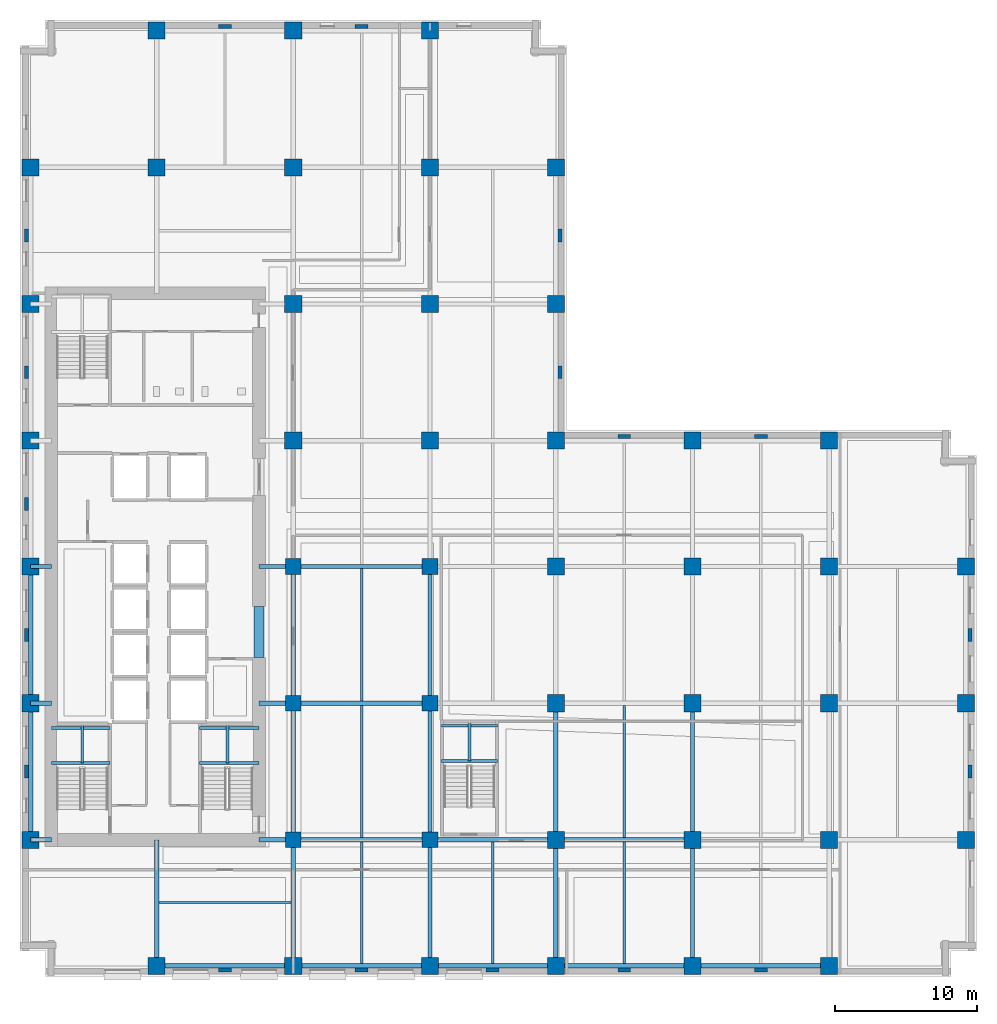
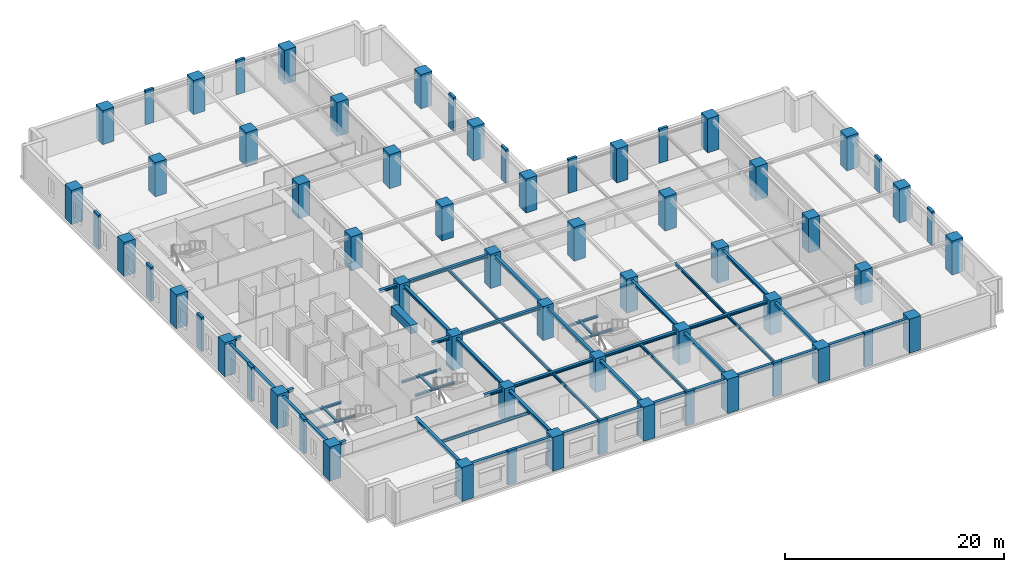
# One storey, part 1 of 14: 63 columns, 46 beams.
"""IFC4 building model written with IfcOpenShell, lengths in metres."""

from ifc_helpers import new_model, si_unit, direction, frame, origin, origin_2d, place, context, subcontext, project, spatial, rectangle, i_section, extrude, material, material_profile, profile_set, type_object, element, save


model = new_model("IFC4")

# Units and contexts
model_context = context("Model", 3, precision=1e-05, world=origin(), true_north=direction((0.0, 1.0)))
body_context = subcontext(model_context, "Body", "Model", "MODEL_VIEW")
ifc_project = project(units=[si_unit("LENGTHUNIT", "METRE"), si_unit("AREAUNIT", "SQUARE_METRE"), si_unit("VOLUMEUNIT", "CUBIC_METRE"), si_unit("PLANEANGLEUNIT", "RADIAN"), si_unit("MASSUNIT", "GRAM", prefix="KILO")], contexts=[model_context])

# Site, building, storey
site_placement = place(None, origin())
site = spatial("IfcSite", under=ifc_project, at=site_placement, CompositionType="ELEMENT")
building_placement = place(site_placement, origin())
building = spatial("IfcBuilding", under=site, at=building_placement, Name="Norrvale University Quadrangle", CompositionType="ELEMENT")
storey_placement = place(building_placement, frame((0.0, 0.0, 50.800048828125)))
storey = spatial("IfcBuildingStorey", under=building, at=storey_placement, Name="L12", CompositionType="ELEMENT", Elevation=50.800048828125)

# Columns
ifc_material_1 = material(Name="Buff Brick Concrete C60/75", Category="concrete")
ifc_material_profile_1 = material_profile(ifc_material_1, rectangle(XDim=0.89990234375, YDim=0.280029296875, at=origin_2d()), Name="Buff Brick Concrete C60/75")
ifc_profile_set_1 = profile_set([ifc_material_profile_1], Name="Buff Brick Concrete C60/75")
column_type_1 = type_object("IfcColumnType", Name="Column Buff Pier 900x280", PredefinedType="PILASTER", material=ifc_profile_set_1)
for number, where, z_axis, x_axis, name in (
    (1, (0.449951171875, 14.39990234375, 0.0), (0.0, 0.0, 1.0), (0.0, 1.0, 0.0), "Exterior Brick Facade Pilaster L12-01"),
    (2, (0.449951171875, 24.0, 0.0), (0.0, 0.0, 1.0), (0.0, 1.0, 0.0), "Exterior Brick Facade Pilaster L12-02"),
    (3, (0.449951171875, 33.199951171875, 0.0), (0.0, 0.0, 1.0), (0.0, 1.0, 0.0), "Exterior Brick Facade Pilaster L12-03"),
    (4, (0.449951171875, 42.449951171875, 0.0), (0.0, 0.0, 1.0), (0.0, 1.0, 0.0), "Exterior Brick Facade Pilaster L12-04"),
    (5, (0.449951171875, 52.050048828125, 0.0), (0.0, 0.0, 1.0), (0.0, 1.0, 0.0), "Exterior Brick Facade Pilaster L12-05"),
    (6, (14.39990234375, 0.449951171875, 0.0), (0.0, 0.0, 1.0), (1.0, 0.0, 0.0), "Exterior Brick Facade Pilaster L12-06"),
    (7, (24.0, 0.449951171875, 0.0), (0.0, 0.0, 1.0), (1.0, 0.0, 0.0), "Exterior Brick Facade Pilaster L12-07"),
    (8, (33.199951171875, 0.449951171875, 0.0), (0.0, 0.0, 1.0), (1.0, 0.0, 0.0), "Exterior Brick Facade Pilaster L12-08"),
    (9, (42.449951171875, 0.449951171875, 0.0), (0.0, 0.0, 1.0), (1.0, 0.0, 0.0), "Exterior Brick Facade Pilaster L12-09"),
    (10, (52.050048828125, 0.449951171875, 0.0), (0.0, 0.0, 1.0), (1.0, 0.0, 0.0), "Exterior Brick Facade Pilaster L12-10"),
    (11, (66.75, 14.39990234375, 0.0), (0.0, 0.0, 1.0), (0.0, 1.0, 0.0), "Exterior Brick Facade Pilaster L12-11"),
    (12, (66.75, 24.0, 0.0), (0.0, 0.0, 1.0), (0.0, 1.0, 0.0), "Exterior Brick Facade Pilaster L12-12"),
    (13, (14.39990234375, 66.75, 0.0), (0.0, 0.0, 1.0), (1.0, 0.0, 0.0), "Exterior Brick Facade Pilaster L12-13"),
    (14, (24.0, 66.75, 0.0), (0.0, 0.0, 1.0), (1.0, 0.0, 0.0), "Exterior Brick Facade Pilaster L12-14"),
    (15, (37.949951171875, 42.449951171875, 0.0), (0.0, 0.0, 1.0), (0.0, 1.0, 0.0), "Exterior Brick Facade Pilaster L12-15"),
    (16, (37.949951171875, 52.050048828125, 0.0), (0.0, 0.0, 1.0), (0.0, 1.0, 0.0), "Exterior Brick Facade Pilaster L12-16"),
    (17, (42.449951171875, 37.949951171875, 0.0), (0.0, 0.0, 1.0), (1.0, 0.0, 0.0), "Exterior Brick Facade Pilaster L12-17"),
    (18, (52.050048828125, 37.949951171875, 0.0), (0.0, 0.0, 1.0), (1.0, 0.0, 0.0), "Exterior Brick Facade Pilaster L12-18"),
):
    element("IfcColumn", number, at=place(storey_placement, frame(where, z_axis=z_axis, x_axis=x_axis)), inside=storey, type_object=column_type_1, Name=name, PredefinedType="PILASTER", context=body_context, shape_type="SweptSolid", body=[
        extrude(rectangle(XDim=0.89990234375, YDim=0.280029296875, at=origin_2d()), origin(), (0.0, 0.0, 1.0), 3.800048828125),
    ])
ifc_material_2 = material(Name="Concrete C80/95", Category="concrete")
ifc_material_profile_2 = material_profile(ifc_material_2, rectangle(XDim=1.10009765625, YDim=1.10009765625, at=origin_2d()), Name="Concrete C80/95")
ifc_profile_set_2 = profile_set([ifc_material_profile_2], Name="Concrete C80/95")
column_type_2 = type_object("IfcColumnType", Name="Column Tower Z1 1100x1100", PredefinedType="COLUMN", material=ifc_profile_set_2)
for number, where, z_axis, x_axis, name in (
    (19, (19.199951171875, 9.60009765625, 0.0), (0.0, 0.0, 1.0), (1.0, 0.0, 0.0), "Tower Column L12-T11"),
    (20, (19.199951171875, 19.199951171875, 0.0), (0.0, 0.0, 1.0), (1.0, 0.0, 0.0), "Tower Column L12-T12"),
    (21, (19.199951171875, 28.800048828125, 0.0), (0.0, 0.0, 1.0), (1.0, 0.0, 0.0), "Tower Column L12-T13"),
    (22, (28.800048828125, 9.60009765625, 0.0), (0.0, 0.0, 1.0), (1.0, 0.0, 0.0), "Tower Column L12-T19"),
    (23, (28.800048828125, 19.199951171875, 0.0), (0.0, 0.0, 1.0), (1.0, 0.0, 0.0), "Tower Column L12-T20"),
    (24, (28.800048828125, 28.800048828125, 0.0), (0.0, 0.0, 1.0), (1.0, 0.0, 0.0), "Tower Column L12-T21"),
):
    element("IfcColumn", number, at=place(storey_placement, frame(where, z_axis=z_axis, x_axis=x_axis)), inside=storey, type_object=column_type_2, Name=name, PredefinedType="COLUMN", context=body_context, shape_type="SweptSolid", body=[
        extrude(rectangle(XDim=1.10009765625, YDim=1.10009765625, at=origin_2d()), origin(), (0.0, 0.0, 1.0), 3.800048828125),
    ])
ifc_material_profile_3 = material_profile(ifc_material_2, rectangle(XDim=1.199951171875, YDim=1.199951171875, at=origin_2d()), Name="Concrete C80/95")
ifc_profile_set_3 = profile_set([ifc_material_profile_3], Name="Concrete C80/95")
column_type_3 = type_object("IfcColumnType", Name="Column Tower Z1 1200x1200", PredefinedType="COLUMN", material=ifc_profile_set_3)
for number, where, z_axis, x_axis, name in (
    (25, (0.75, 9.60009765625, 0.0), (0.0, 0.0, 1.0), (1.0, 0.0, 0.0), "Tower Column L12-T01"),
    (26, (0.75, 19.199951171875, 0.0), (0.0, 0.0, 1.0), (1.0, 0.0, 0.0), "Tower Column L12-T02"),
    (27, (0.75, 28.800048828125, 0.0), (0.0, 0.0, 1.0), (1.0, 0.0, 0.0), "Tower Column L12-T03"),
    (28, (0.75, 37.64990234375, 0.0), (0.0, 0.0, 1.0), (1.0, 0.0, 0.0), "Tower Column L12-T04"),
    (29, (0.75, 47.25, 0.0), (0.0, 0.0, 1.0), (1.0, 0.0, 0.0), "Tower Column L12-T05"),
    (30, (0.75, 56.85009765625, 0.0), (0.0, 0.0, 1.0), (1.0, 0.0, 0.0), "Tower Column L12-T06"),
    (31, (9.60009765625, 0.75, 0.0), (0.0, 0.0, 1.0), (1.0, 0.0, 0.0), "Tower Column L12-T07"),
    (32, (9.60009765625, 56.85009765625, 0.0), (0.0, 0.0, 1.0), (1.0, 0.0, 0.0), "Tower Column L12-T08"),
    (33, (9.60009765625, 66.449951171875, 0.0), (0.0, 0.0, 1.0), (1.0, 0.0, 0.0), "Tower Column L12-T09"),
    (34, (19.199951171875, 0.75, 0.0), (0.0, 0.0, 1.0), (1.0, 0.0, 0.0), "Tower Column L12-T10"),
    (35, (19.199951171875, 37.64990234375, 0.0), (0.0, 0.0, 1.0), (1.0, 0.0, 0.0), "Tower Column L12-T14"),
    (36, (19.199951171875, 47.25, 0.0), (0.0, 0.0, 1.0), (1.0, 0.0, 0.0), "Tower Column L12-T15"),
    (37, (19.199951171875, 56.85009765625, 0.0), (0.0, 0.0, 1.0), (1.0, 0.0, 0.0), "Tower Column L12-T16"),
    (38, (19.199951171875, 66.449951171875, 0.0), (0.0, 0.0, 1.0), (1.0, 0.0, 0.0), "Tower Column L12-T17"),
    (39, (28.800048828125, 0.75, 0.0), (0.0, 0.0, 1.0), (1.0, 0.0, 0.0), "Tower Column L12-T18"),
    (40, (28.800048828125, 37.64990234375, 0.0), (0.0, 0.0, 1.0), (1.0, 0.0, 0.0), "Tower Column L12-T22"),
    (41, (28.800048828125, 47.25, 0.0), (0.0, 0.0, 1.0), (1.0, 0.0, 0.0), "Tower Column L12-T23"),
    (42, (28.800048828125, 56.85009765625, 0.0), (0.0, 0.0, 1.0), (1.0, 0.0, 0.0), "Tower Column L12-T24"),
    (43, (28.800048828125, 66.449951171875, 0.0), (0.0, 0.0, 1.0), (1.0, 0.0, 0.0), "Tower Column L12-T25"),
    (44, (37.64990234375, 0.75, 0.0), (0.0, 0.0, 1.0), (1.0, 0.0, 0.0), "Tower Column L12-T26"),
    (45, (37.64990234375, 9.60009765625, 0.0), (0.0, 0.0, 1.0), (1.0, 0.0, 0.0), "Tower Column L12-T27"),
    (46, (37.64990234375, 19.199951171875, 0.0), (0.0, 0.0, 1.0), (1.0, 0.0, 0.0), "Tower Column L12-T28"),
    (47, (37.64990234375, 28.800048828125, 0.0), (0.0, 0.0, 1.0), (1.0, 0.0, 0.0), "Tower Column L12-T29"),
    (48, (37.64990234375, 37.64990234375, 0.0), (0.0, 0.0, 1.0), (1.0, 0.0, 0.0), "Tower Column L12-T30"),
    (49, (37.64990234375, 47.25, 0.0), (0.0, 0.0, 1.0), (1.0, 0.0, 0.0), "Tower Column L12-T31"),
    (50, (37.64990234375, 56.85009765625, 0.0), (0.0, 0.0, 1.0), (1.0, 0.0, 0.0), "Tower Column L12-T32"),
    (51, (47.25, 0.75, 0.0), (0.0, 0.0, 1.0), (1.0, 0.0, 0.0), "Tower Column L12-T33"),
    (52, (47.25, 9.60009765625, 0.0), (0.0, 0.0, 1.0), (1.0, 0.0, 0.0), "Tower Column L12-T34"),
    (53, (47.25, 19.199951171875, 0.0), (0.0, 0.0, 1.0), (1.0, 0.0, 0.0), "Tower Column L12-T35"),
    (54, (47.25, 28.800048828125, 0.0), (0.0, 0.0, 1.0), (1.0, 0.0, 0.0), "Tower Column L12-T36"),
    (55, (47.25, 37.64990234375, 0.0), (0.0, 0.0, 1.0), (1.0, 0.0, 0.0), "Tower Column L12-T37"),
    (56, (56.85009765625, 0.75, 0.0), (0.0, 0.0, 1.0), (1.0, 0.0, 0.0), "Tower Column L12-T38"),
    (57, (56.85009765625, 9.60009765625, 0.0), (0.0, 0.0, 1.0), (1.0, 0.0, 0.0), "Tower Column L12-T39"),
    (58, (56.85009765625, 19.199951171875, 0.0), (0.0, 0.0, 1.0), (1.0, 0.0, 0.0), "Tower Column L12-T40"),
    (59, (56.85009765625, 28.800048828125, 0.0), (0.0, 0.0, 1.0), (1.0, 0.0, 0.0), "Tower Column L12-T41"),
    (60, (56.85009765625, 37.64990234375, 0.0), (0.0, 0.0, 1.0), (1.0, 0.0, 0.0), "Tower Column L12-T42"),
    (61, (66.449951171875, 9.60009765625, 0.0), (0.0, 0.0, 1.0), (1.0, 0.0, 0.0), "Tower Column L12-T43"),
    (62, (66.449951171875, 19.199951171875, 0.0), (0.0, 0.0, 1.0), (1.0, 0.0, 0.0), "Tower Column L12-T44"),
    (63, (66.449951171875, 28.800048828125, 0.0), (0.0, 0.0, 1.0), (1.0, 0.0, 0.0), "Tower Column L12-T45"),
):
    element("IfcColumn", number, at=place(storey_placement, frame(where, z_axis=z_axis, x_axis=x_axis)), inside=storey, type_object=column_type_3, Name=name, PredefinedType="COLUMN", context=body_context, shape_type="SweptSolid", body=[
        extrude(rectangle(XDim=1.199951171875, YDim=1.199951171875, at=origin_2d()), origin(), (0.0, 0.0, 1.0), 3.800048828125),
    ])

# Beams
ifc_material_3 = material(Name="Steel 350W", Category="steel")
ifc_material_profile_4 = material_profile(ifc_material_3, i_section(OverallWidth=0.1669921875, OverallDepth=0.31689453125, WebThickness=0.007568359375, FlangeThickness=0.01318359375, FilletRadius=0.010009765625, at=origin_2d()), Name="Steel 350W")
ifc_profile_set_4 = profile_set([ifc_material_profile_4], Name="Steel 350W")
beam_type_1 = type_object("IfcBeamType", Name="Beam Canopy Purlin W310x52", PredefinedType="USERDEFINED", material=ifc_profile_set_4)
beam_1_placement = place(storey_placement, frame((24.0, 0.902587890625, 3.38134765625), z_axis=(0.0, 1.0, 0.0), x_axis=(-1.0, 0.0, 0.0)))
element("IfcBeam", 64, at=beam_1_placement, inside=storey, type_object=beam_type_1, Name="Beam Canopy Purlin W310x52 BM-L12-J080", ObjectType="PURLIN", PredefinedType="USERDEFINED", context=body_context, shape_type="SweptSolid", body=[
    extrude(i_section(OverallWidth=0.1669921875, OverallDepth=0.31689453125, WebThickness=0.007568359375, FlangeThickness=0.01318359375, FilletRadius=0.010009765625, at=origin_2d()), origin(), (0.0, 0.0, 1.0), 8.544921875),
])
beam_2_placement = place(storey_placement, frame((24.0, 9.75244140625, 3.38134765625), z_axis=(0.0, 1.0, 0.0), x_axis=(-1.0, 0.0, 0.0)))
element("IfcBeam", 65, at=beam_2_placement, inside=storey, type_object=beam_type_1, Name="Beam Canopy Purlin W310x52 BM-L12-J081", ObjectType="PURLIN", PredefinedType="USERDEFINED", context=body_context, shape_type="SweptSolid", body=[
    extrude(i_section(OverallWidth=0.1669921875, OverallDepth=0.31689453125, WebThickness=0.007568359375, FlangeThickness=0.01318359375, FilletRadius=0.010009765625, at=origin_2d()), origin(), (0.0, 0.0, 1.0), 9.295166015625),
])
beam_3_placement = place(storey_placement, frame((24.0, 19.3525390625, 3.38134765625), z_axis=(0.0, 1.0, 0.0), x_axis=(-1.0, 0.0, 0.0)))
element("IfcBeam", 66, at=beam_3_placement, inside=storey, type_object=beam_type_1, Name="Beam Canopy Purlin W310x52 BM-L12-J082", ObjectType="PURLIN", PredefinedType="USERDEFINED", context=body_context, shape_type="SweptSolid", body=[
    extrude(i_section(OverallWidth=0.1669921875, OverallDepth=0.31689453125, WebThickness=0.007568359375, FlangeThickness=0.01318359375, FilletRadius=0.010009765625, at=origin_2d()), origin(), (0.0, 0.0, 1.0), 9.294921875),
])
for number, where, z_axis, x_axis, name in (
    (67, (33.22509765625, 0.902587890625, 3.38134765625), (0.0, 1.0, 0.0), (-1.0, 0.0, 0.0), "Beam Canopy Purlin W310x52 BM-L12-J087"),
    (68, (42.449951171875, 0.902587890625, 3.38134765625), (0.0, 1.0, 0.0), (-1.0, 0.0, 0.0), "Beam Canopy Purlin W310x52 BM-L12-J092"),
):
    element("IfcBeam", number, at=place(storey_placement, frame(where, z_axis=z_axis, x_axis=x_axis)), inside=storey, type_object=beam_type_1, Name=name, ObjectType="PURLIN", PredefinedType="USERDEFINED", context=body_context, shape_type="SweptSolid", body=[
        extrude(i_section(OverallWidth=0.1669921875, OverallDepth=0.31689453125, WebThickness=0.007568359375, FlangeThickness=0.01318359375, FilletRadius=0.010009765625, at=origin_2d()), origin(), (0.0, 0.0, 1.0), 8.544921875),
    ])
for number, where, z_axis, x_axis, name in (
    (69, (42.449951171875, 9.75244140625, 3.38134765625), (0.0, 1.0, 0.0), (-1.0, 0.0, 0.0), "Beam Canopy Purlin W310x52 BM-L12-J093"),
    (70, (9.75244140625, 5.199951171875, 3.38134765625), (1.0, 0.0, 0.0), (0.0, 1.0, 0.0), "Beam Canopy Purlin W310x52 BM-L12-JCS103"),
):
    element("IfcBeam", number, at=place(storey_placement, frame(where, z_axis=z_axis, x_axis=x_axis)), inside=storey, type_object=beam_type_1, Name=name, ObjectType="PURLIN", PredefinedType="USERDEFINED", context=body_context, shape_type="SweptSolid", body=[
        extrude(i_section(OverallWidth=0.1669921875, OverallDepth=0.31689453125, WebThickness=0.007568359375, FlangeThickness=0.01318359375, FilletRadius=0.010009765625, at=origin_2d()), origin(), (0.0, 0.0, 1.0), 9.295166015625),
    ])
ifc_material_profile_5 = material_profile(ifc_material_3, i_section(OverallWidth=0.304931640625, OverallDepth=0.30810546875, WebThickness=0.010009765625, FlangeThickness=0.015380859375, FilletRadius=0.014892578125, at=origin_2d()), Name="Steel 350W")
ifc_profile_set_5 = profile_set([ifc_material_profile_5], Name="Steel 350W")
beam_type_2 = type_object("IfcBeamType", Name="Beam Canopy W310x97", PredefinedType="BEAM", material=ifc_profile_set_5)
beam_4_placement = place(storey_placement, frame((9.60009765625, 0.75, 3.385986328125), z_axis=(1.0, 0.0, 0.0), x_axis=(0.0, 1.0, 0.0)))
element("IfcBeam", 71, at=beam_4_placement, inside=storey, type_object=beam_type_2, Name="Beam Canopy W310x97 BM-L12-GX001", PredefinedType="BEAM", context=body_context, shape_type="SweptSolid", body=[
    extrude(i_section(OverallWidth=0.304931640625, OverallDepth=0.30810546875, WebThickness=0.010009765625, FlangeThickness=0.015380859375, FilletRadius=0.014892578125, at=origin_2d()), origin(), (0.0, 0.0, 1.0), 9.599853515625),
])
beam_5_placement = place(storey_placement, frame((19.199951171875, 0.75, 3.385986328125), z_axis=(1.0, 0.0, 0.0), x_axis=(0.0, 1.0, 0.0)))
element("IfcBeam", 72, at=beam_5_placement, inside=storey, type_object=beam_type_2, Name="Beam Canopy W310x97 BM-L12-GX002", PredefinedType="BEAM", context=body_context, shape_type="SweptSolid", body=[
    extrude(i_section(OverallWidth=0.304931640625, OverallDepth=0.30810546875, WebThickness=0.010009765625, FlangeThickness=0.015380859375, FilletRadius=0.014892578125, at=origin_2d()), origin(), (0.0, 0.0, 1.0), 9.60009765625),
])
beam_6_placement = place(storey_placement, frame((28.800048828125, 0.75, 3.385986328125), z_axis=(1.0, 0.0, 0.0), x_axis=(0.0, 1.0, 0.0)))
element("IfcBeam", 73, at=beam_6_placement, inside=storey, type_object=beam_type_2, Name="Beam Canopy W310x97 BM-L12-GX003", PredefinedType="BEAM", context=body_context, shape_type="SweptSolid", body=[
    extrude(i_section(OverallWidth=0.304931640625, OverallDepth=0.30810546875, WebThickness=0.010009765625, FlangeThickness=0.015380859375, FilletRadius=0.014892578125, at=origin_2d()), origin(), (0.0, 0.0, 1.0), 8.849853515625),
])
for number, where, z_axis, x_axis, name in (
    (74, (37.64990234375, 0.75, 3.385986328125), (1.0, 0.0, 0.0), (0.0, 1.0, 0.0), "Beam Canopy W310x97 BM-L12-GX004"),
    (75, (47.25, 0.75, 3.385986328125), (1.0, 0.0, 0.0), (0.0, 1.0, 0.0), "Beam Canopy W310x97 BM-L12-GX005"),
    (76, (19.199951171875, 9.60009765625, 3.385986328125), (1.0, 0.0, 0.0), (0.0, 1.0, 0.0), "Beam Canopy W310x97 BM-L12-GX006"),
):
    element("IfcBeam", number, at=place(storey_placement, frame(where, z_axis=z_axis, x_axis=x_axis)), inside=storey, type_object=beam_type_2, Name=name, PredefinedType="BEAM", context=body_context, shape_type="SweptSolid", body=[
        extrude(i_section(OverallWidth=0.304931640625, OverallDepth=0.30810546875, WebThickness=0.010009765625, FlangeThickness=0.015380859375, FilletRadius=0.014892578125, at=origin_2d()), origin(), (0.0, 0.0, 1.0), 9.60009765625),
    ])
beam_7_placement = place(storey_placement, frame((28.800048828125, 9.60009765625, 3.385986328125), z_axis=(1.0, 0.0, 0.0), x_axis=(0.0, 1.0, 0.0)))
element("IfcBeam", 77, at=beam_7_placement, inside=storey, type_object=beam_type_2, Name="Beam Canopy W310x97 BM-L12-GX007", PredefinedType="BEAM", context=body_context, shape_type="SweptSolid", body=[
    extrude(i_section(OverallWidth=0.304931640625, OverallDepth=0.30810546875, WebThickness=0.010009765625, FlangeThickness=0.015380859375, FilletRadius=0.014892578125, at=origin_2d()), origin(), (0.0, 0.0, 1.0), 8.849853515625),
])
for number, where, z_axis, x_axis, name in (
    (78, (37.64990234375, 9.60009765625, 3.385986328125), (1.0, 0.0, 0.0), (0.0, 1.0, 0.0), "Beam Canopy W310x97 BM-L12-GX008"),
    (79, (19.199951171875, 19.199951171875, 3.385986328125), (1.0, 0.0, 0.0), (0.0, 1.0, 0.0), "Beam Canopy W310x97 BM-L12-GX011"),
    (80, (19.199951171875, 28.800048828125, 3.385986328125), (1.0, 0.0, 0.0), (0.0, 1.0, 0.0), "Beam Canopy W310x97 BM-L12-GX016"),
):
    element("IfcBeam", number, at=place(storey_placement, frame(where, z_axis=z_axis, x_axis=x_axis)), inside=storey, type_object=beam_type_2, Name=name, PredefinedType="BEAM", context=body_context, shape_type="SweptSolid", body=[
        extrude(i_section(OverallWidth=0.304931640625, OverallDepth=0.30810546875, WebThickness=0.010009765625, FlangeThickness=0.015380859375, FilletRadius=0.014892578125, at=origin_2d()), origin(), (0.0, 0.0, 1.0), 9.60009765625),
    ])
beam_8_placement = place(storey_placement, frame((0.75, 9.60009765625, 3.385986328125), z_axis=(0.0, 1.0, 0.0), x_axis=(-1.0, 0.0, 0.0)))
element("IfcBeam", 81, at=beam_8_placement, inside=storey, type_object=beam_type_2, Name="Beam Canopy W310x97 BM-L12-GY033", PredefinedType="BEAM", context=body_context, shape_type="SweptSolid", body=[
    extrude(i_section(OverallWidth=0.304931640625, OverallDepth=0.30810546875, WebThickness=0.010009765625, FlangeThickness=0.015380859375, FilletRadius=0.014892578125, at=origin_2d()), origin(), (0.0, 0.0, 1.0), 9.599853515625),
])
beam_9_placement = place(storey_placement, frame((0.75, 19.199951171875, 3.385986328125), z_axis=(0.0, 1.0, 0.0), x_axis=(-1.0, 0.0, 0.0)))
element("IfcBeam", 82, at=beam_9_placement, inside=storey, type_object=beam_type_2, Name="Beam Canopy W310x97 BM-L12-GY034", PredefinedType="BEAM", context=body_context, shape_type="SweptSolid", body=[
    extrude(i_section(OverallWidth=0.304931640625, OverallDepth=0.30810546875, WebThickness=0.010009765625, FlangeThickness=0.015380859375, FilletRadius=0.014892578125, at=origin_2d()), origin(), (0.0, 0.0, 1.0), 9.60009765625),
])
beam_10_placement = place(storey_placement, frame((19.199951171875, 0.75, 3.385986328125), z_axis=(0.0, 1.0, 0.0), x_axis=(-1.0, 0.0, 0.0)))
element("IfcBeam", 83, at=beam_10_placement, inside=storey, type_object=beam_type_2, Name="Beam Canopy W310x97 BM-L12-GY039", PredefinedType="BEAM", context=body_context, shape_type="SweptSolid", body=[
    extrude(i_section(OverallWidth=0.304931640625, OverallDepth=0.30810546875, WebThickness=0.010009765625, FlangeThickness=0.015380859375, FilletRadius=0.014892578125, at=origin_2d()), origin(), (0.0, 0.0, 1.0), 8.85009765625),
])
beam_11_placement = place(storey_placement, frame((19.199951171875, 9.60009765625, 3.385986328125), z_axis=(0.0, 1.0, 0.0), x_axis=(-1.0, 0.0, 0.0)))
element("IfcBeam", 84, at=beam_11_placement, inside=storey, type_object=beam_type_2, Name="Beam Canopy W310x97 BM-L12-GY040", PredefinedType="BEAM", context=body_context, shape_type="SweptSolid", body=[
    extrude(i_section(OverallWidth=0.304931640625, OverallDepth=0.30810546875, WebThickness=0.010009765625, FlangeThickness=0.015380859375, FilletRadius=0.014892578125, at=origin_2d()), origin(), (0.0, 0.0, 1.0), 9.599853515625),
])
beam_12_placement = place(storey_placement, frame((19.199951171875, 19.199951171875, 3.385986328125), z_axis=(0.0, 1.0, 0.0), x_axis=(-1.0, 0.0, 0.0)))
element("IfcBeam", 85, at=beam_12_placement, inside=storey, type_object=beam_type_2, Name="Beam Canopy W310x97 BM-L12-GY041", PredefinedType="BEAM", context=body_context, shape_type="SweptSolid", body=[
    extrude(i_section(OverallWidth=0.304931640625, OverallDepth=0.30810546875, WebThickness=0.010009765625, FlangeThickness=0.015380859375, FilletRadius=0.014892578125, at=origin_2d()), origin(), (0.0, 0.0, 1.0), 9.60009765625),
])
beam_13_placement = place(storey_placement, frame((28.800048828125, 0.75, 3.385986328125), z_axis=(0.0, 1.0, 0.0), x_axis=(-1.0, 0.0, 0.0)))
element("IfcBeam", 86, at=beam_13_placement, inside=storey, type_object=beam_type_2, Name="Beam Canopy W310x97 BM-L12-GY046", PredefinedType="BEAM", context=body_context, shape_type="SweptSolid", body=[
    extrude(i_section(OverallWidth=0.304931640625, OverallDepth=0.30810546875, WebThickness=0.010009765625, FlangeThickness=0.015380859375, FilletRadius=0.014892578125, at=origin_2d()), origin(), (0.0, 0.0, 1.0), 8.85009765625),
])
beam_14_placement = place(storey_placement, frame((28.800048828125, 9.60009765625, 3.385986328125), z_axis=(0.0, 1.0, 0.0), x_axis=(-1.0, 0.0, 0.0)))
element("IfcBeam", 87, at=beam_14_placement, inside=storey, type_object=beam_type_2, Name="Beam Canopy W310x97 BM-L12-GY047", PredefinedType="BEAM", context=body_context, shape_type="SweptSolid", body=[
    extrude(i_section(OverallWidth=0.304931640625, OverallDepth=0.30810546875, WebThickness=0.010009765625, FlangeThickness=0.015380859375, FilletRadius=0.014892578125, at=origin_2d()), origin(), (0.0, 0.0, 1.0), 9.599853515625),
])
beam_15_placement = place(storey_placement, frame((28.800048828125, 19.199951171875, 3.385986328125), z_axis=(0.0, 1.0, 0.0), x_axis=(-1.0, 0.0, 0.0)))
element("IfcBeam", 88, at=beam_15_placement, inside=storey, type_object=beam_type_2, Name="Beam Canopy W310x97 BM-L12-GY048", PredefinedType="BEAM", context=body_context, shape_type="SweptSolid", body=[
    extrude(i_section(OverallWidth=0.304931640625, OverallDepth=0.30810546875, WebThickness=0.010009765625, FlangeThickness=0.015380859375, FilletRadius=0.014892578125, at=origin_2d()), origin(), (0.0, 0.0, 1.0), 9.60009765625),
])
beam_16_placement = place(storey_placement, frame((37.64990234375, 0.75, 3.385986328125), z_axis=(0.0, 1.0, 0.0), x_axis=(-1.0, 0.0, 0.0)))
element("IfcBeam", 89, at=beam_16_placement, inside=storey, type_object=beam_type_2, Name="Beam Canopy W310x97 BM-L12-GY053", PredefinedType="BEAM", context=body_context, shape_type="SweptSolid", body=[
    extrude(i_section(OverallWidth=0.304931640625, OverallDepth=0.30810546875, WebThickness=0.010009765625, FlangeThickness=0.015380859375, FilletRadius=0.014892578125, at=origin_2d()), origin(), (0.0, 0.0, 1.0), 8.85009765625),
])
beam_17_placement = place(storey_placement, frame((37.64990234375, 9.60009765625, 3.385986328125), z_axis=(0.0, 1.0, 0.0), x_axis=(-1.0, 0.0, 0.0)))
element("IfcBeam", 90, at=beam_17_placement, inside=storey, type_object=beam_type_2, Name="Beam Canopy W310x97 BM-L12-GY054", PredefinedType="BEAM", context=body_context, shape_type="SweptSolid", body=[
    extrude(i_section(OverallWidth=0.304931640625, OverallDepth=0.30810546875, WebThickness=0.010009765625, FlangeThickness=0.015380859375, FilletRadius=0.014892578125, at=origin_2d()), origin(), (0.0, 0.0, 1.0), 9.599853515625),
])
beam_18_placement = place(storey_placement, frame((47.25, 0.75, 3.385986328125), z_axis=(0.0, 1.0, 0.0), x_axis=(-1.0, 0.0, 0.0)))
element("IfcBeam", 91, at=beam_18_placement, inside=storey, type_object=beam_type_2, Name="Beam Canopy W310x97 BM-L12-GY059", PredefinedType="BEAM", context=body_context, shape_type="SweptSolid", body=[
    extrude(i_section(OverallWidth=0.304931640625, OverallDepth=0.30810546875, WebThickness=0.010009765625, FlangeThickness=0.015380859375, FilletRadius=0.014892578125, at=origin_2d()), origin(), (0.0, 0.0, 1.0), 8.85009765625),
])
beam_19_placement = place(storey_placement, frame((47.25, 9.60009765625, 3.385986328125), z_axis=(0.0, 1.0, 0.0), x_axis=(-1.0, 0.0, 0.0)))
element("IfcBeam", 92, at=beam_19_placement, inside=storey, type_object=beam_type_2, Name="Beam Canopy W310x97 BM-L12-GY060", PredefinedType="BEAM", context=body_context, shape_type="SweptSolid", body=[
    extrude(i_section(OverallWidth=0.304931640625, OverallDepth=0.30810546875, WebThickness=0.010009765625, FlangeThickness=0.015380859375, FilletRadius=0.014892578125, at=origin_2d()), origin(), (0.0, 0.0, 1.0), 9.599853515625),
])
beam_20_placement = place(storey_placement, frame((0.75, 9.60009765625, 3.385986328125), z_axis=(1.0, 0.0, 0.0), x_axis=(0.0, 1.0, 0.0)))
element("IfcBeam", 93, at=beam_20_placement, inside=storey, type_object=beam_type_2, Name="Beam Canopy W310x97 BM-L12-GCW069", PredefinedType="BEAM", context=body_context, shape_type="SweptSolid", body=[
    extrude(i_section(OverallWidth=0.304931640625, OverallDepth=0.30810546875, WebThickness=0.010009765625, FlangeThickness=0.015380859375, FilletRadius=0.014892578125, at=origin_2d()), origin(), (0.0, 0.0, 1.0), 1.449951171875),
])
beam_21_placement = place(storey_placement, frame((16.800048828125, 9.60009765625, 3.385986328125), z_axis=(1.0, 0.0, 0.0), x_axis=(0.0, 1.0, 0.0)))
element("IfcBeam", 94, at=beam_21_placement, inside=storey, type_object=beam_type_2, Name="Beam Canopy W310x97 BM-L12-GCE070", PredefinedType="BEAM", context=body_context, shape_type="SweptSolid", body=[
    extrude(i_section(OverallWidth=0.304931640625, OverallDepth=0.30810546875, WebThickness=0.010009765625, FlangeThickness=0.015380859375, FilletRadius=0.014892578125, at=origin_2d()), origin(), (0.0, 0.0, 1.0), 2.39990234375),
])
beam_22_placement = place(storey_placement, frame((0.75, 19.199951171875, 3.385986328125), z_axis=(1.0, 0.0, 0.0), x_axis=(0.0, 1.0, 0.0)))
element("IfcBeam", 95, at=beam_22_placement, inside=storey, type_object=beam_type_2, Name="Beam Canopy W310x97 BM-L12-GCW071", PredefinedType="BEAM", context=body_context, shape_type="SweptSolid", body=[
    extrude(i_section(OverallWidth=0.304931640625, OverallDepth=0.30810546875, WebThickness=0.010009765625, FlangeThickness=0.015380859375, FilletRadius=0.014892578125, at=origin_2d()), origin(), (0.0, 0.0, 1.0), 1.449951171875),
])
beam_23_placement = place(storey_placement, frame((16.800048828125, 19.199951171875, 3.385986328125), z_axis=(1.0, 0.0, 0.0), x_axis=(0.0, 1.0, 0.0)))
element("IfcBeam", 96, at=beam_23_placement, inside=storey, type_object=beam_type_2, Name="Beam Canopy W310x97 BM-L12-GCE072", PredefinedType="BEAM", context=body_context, shape_type="SweptSolid", body=[
    extrude(i_section(OverallWidth=0.304931640625, OverallDepth=0.30810546875, WebThickness=0.010009765625, FlangeThickness=0.015380859375, FilletRadius=0.014892578125, at=origin_2d()), origin(), (0.0, 0.0, 1.0), 2.39990234375),
])
beam_24_placement = place(storey_placement, frame((0.75, 28.800048828125, 3.385986328125), z_axis=(1.0, 0.0, 0.0), x_axis=(0.0, 1.0, 0.0)))
element("IfcBeam", 97, at=beam_24_placement, inside=storey, type_object=beam_type_2, Name="Beam Canopy W310x97 BM-L12-GCW073", PredefinedType="BEAM", context=body_context, shape_type="SweptSolid", body=[
    extrude(i_section(OverallWidth=0.304931640625, OverallDepth=0.30810546875, WebThickness=0.010009765625, FlangeThickness=0.015380859375, FilletRadius=0.014892578125, at=origin_2d()), origin(), (0.0, 0.0, 1.0), 1.449951171875),
])
beam_25_placement = place(storey_placement, frame((16.800048828125, 28.800048828125, 3.385986328125), z_axis=(1.0, 0.0, 0.0), x_axis=(0.0, 1.0, 0.0)))
element("IfcBeam", 98, at=beam_25_placement, inside=storey, type_object=beam_type_2, Name="Beam Canopy W310x97 BM-L12-GCE074", PredefinedType="BEAM", context=body_context, shape_type="SweptSolid", body=[
    extrude(i_section(OverallWidth=0.304931640625, OverallDepth=0.30810546875, WebThickness=0.010009765625, FlangeThickness=0.015380859375, FilletRadius=0.014892578125, at=origin_2d()), origin(), (0.0, 0.0, 1.0), 2.39990234375),
])
beam_26_placement = place(storey_placement, frame((9.60009765625, 0.75, 3.385986328125), z_axis=(0.0, 1.0, 0.0), x_axis=(-1.0, 0.0, 0.0)))
element("IfcBeam", 99, at=beam_26_placement, inside=storey, type_object=beam_type_2, Name="Beam Canopy W310x97 BM-L12-GCS102", PredefinedType="BEAM", context=body_context, shape_type="SweptSolid", body=[
    extrude(i_section(OverallWidth=0.304931640625, OverallDepth=0.30810546875, WebThickness=0.010009765625, FlangeThickness=0.015380859375, FilletRadius=0.014892578125, at=origin_2d()), origin(), (0.0, 0.0, 1.0), 8.85009765625),
])
ifc_material_profile_6 = material_profile(ifc_material_2, rectangle(XDim=0.699951171875, YDim=0.949951171875, at=origin_2d()), Name="Concrete C80/95")
ifc_profile_set_6 = profile_set([ifc_material_profile_6], Name="Concrete C80/95")
beam_type_3 = type_object("IfcBeamType", Name="Beam Core Link 700x950", PredefinedType="LINTEL", material=ifc_profile_set_6)
beam_27_placement = place(storey_placement, frame((16.800048828125, 22.39990234375, 3.06494140625), z_axis=(0.0, 1.0, 0.0), x_axis=(-1.0, 0.0, 0.0)))
element("IfcBeam", 100, at=beam_27_placement, inside=storey, type_object=beam_type_3, Name="Core Coupling Lintel Beam L12-1", PredefinedType="LINTEL", context=body_context, shape_type="SweptSolid", body=[
    extrude(rectangle(XDim=0.699951171875, YDim=0.949951171875, at=origin_2d()), origin(), (0.0, 0.0, 1.0), 3.60009765625),
])
ifc_material_profile_7 = material_profile(ifc_material_3, i_section(OverallWidth=0.201904296875, OverallDepth=0.2470703125, WebThickness=0.00732421875, FlangeThickness=0.010986328125, FilletRadius=0.011962890625, at=origin_2d()), Name="Steel 350W")
ifc_profile_set_7 = profile_set([ifc_material_profile_7], Name="Steel 350W")
beam_type_4 = type_object("IfcBeamType", Name="Beam Stair W250x49", PredefinedType="BEAM", material=ifc_profile_set_7)
for number, where, z_axis, x_axis, name in (
    (101, (2.199951171875, 14.989990234375, 1.576416015625), (1.0, 0.0, 0.0), (0.0, 1.0, 0.0), "Stair Mid-Landing Front Beam ST-01 L12"),
    (102, (2.199951171875, 17.469970703125, 1.576416015625), (1.0, 0.0, 0.0), (0.0, 1.0, 0.0), "Stair Mid-Landing Rear Beam ST-01 L12"),
):
    element("IfcBeam", number, at=place(storey_placement, frame(where, z_axis=z_axis, x_axis=x_axis)), inside=storey, type_object=beam_type_4, Name=name, PredefinedType="BEAM", context=body_context, shape_type="SweptSolid", body=[
        extrude(i_section(OverallWidth=0.201904296875, OverallDepth=0.2470703125, WebThickness=0.00732421875, FlangeThickness=0.010986328125, FilletRadius=0.011962890625, at=origin_2d()), origin(), (0.0, 0.0, 1.0), 4.14013671875),
    ])
for number, where, z_axis, x_axis, name in (
    (103, (12.610107421875, 14.989990234375, 1.576416015625), (1.0, 0.0, 0.0), (0.0, 1.0, 0.0), "Stair Mid-Landing Front Beam ST-03 L12"),
    (104, (12.610107421875, 17.469970703125, 1.576416015625), (1.0, 0.0, 0.0), (0.0, 1.0, 0.0), "Stair Mid-Landing Rear Beam ST-03 L12"),
):
    element("IfcBeam", number, at=place(storey_placement, frame(where, z_axis=z_axis, x_axis=x_axis)), inside=storey, type_object=beam_type_4, Name=name, PredefinedType="BEAM", context=body_context, shape_type="SweptSolid", body=[
        extrude(i_section(OverallWidth=0.201904296875, OverallDepth=0.2470703125, WebThickness=0.00732421875, FlangeThickness=0.010986328125, FilletRadius=0.011962890625, at=origin_2d()), origin(), (0.0, 0.0, 1.0), 4.18994140625),
    ])
for number, where, z_axis, x_axis, name in (
    (105, (29.610107421875, 15.139892578125, 1.576416015625), (1.0, 0.0, 0.0), (0.0, 1.0, 0.0), "Stair Mid-Landing Front Beam ST-04 L12"),
    (106, (29.610107421875, 17.6201171875, 1.576416015625), (1.0, 0.0, 0.0), (0.0, 1.0, 0.0), "Stair Mid-Landing Rear Beam ST-04 L12"),
):
    element("IfcBeam", number, at=place(storey_placement, frame(where, z_axis=z_axis, x_axis=x_axis)), inside=storey, type_object=beam_type_4, Name=name, PredefinedType="BEAM", context=body_context, shape_type="SweptSolid", body=[
        extrude(i_section(OverallWidth=0.201904296875, OverallDepth=0.2470703125, WebThickness=0.00732421875, FlangeThickness=0.010986328125, FilletRadius=0.011962890625, at=origin_2d()), origin(), (0.0, 0.0, 1.0), 3.929931640625),
    ])
ifc_material_profile_8 = material_profile(ifc_material_3, i_section(OverallWidth=0.202880859375, OverallDepth=0.202880859375, WebThickness=0.007080078125, FlangeThickness=0.010986328125, FilletRadius=0.010009765625, at=origin_2d()), Name="Steel 350W")
ifc_profile_set_8 = profile_set([ifc_material_profile_8], Name="Steel 350W")
beam_type_5 = type_object("IfcBeamType", Name="Beam Trim W200x46", PredefinedType="BEAM", material=ifc_profile_set_8)
for number, where, z_axis, x_axis, name in (
    (107, (4.375, 14.989990234375, 1.598388671875), (0.0, 1.0, 0.0), (-1.0, 0.0, 0.0), "Stair Mid-Landing Cross Beam ST-01 L12"),
    (108, (14.574951171875, 14.989990234375, 1.598388671875), (0.0, 1.0, 0.0), (-1.0, 0.0, 0.0), "Stair Mid-Landing Cross Beam ST-03 L12"),
    (109, (31.574951171875, 15.139892578125, 1.598388671875), (0.0, 1.0, 0.0), (-1.0, 0.0, 0.0), "Stair Mid-Landing Cross Beam ST-04 L12"),
):
    element("IfcBeam", number, at=place(storey_placement, frame(where, z_axis=z_axis, x_axis=x_axis)), inside=storey, type_object=beam_type_5, Name=name, PredefinedType="BEAM", context=body_context, shape_type="SweptSolid", body=[
        extrude(i_section(OverallWidth=0.202880859375, OverallDepth=0.202880859375, WebThickness=0.007080078125, FlangeThickness=0.010986328125, FilletRadius=0.010009765625, at=origin_2d()), origin(), (0.0, 0.0, 1.0), 2.800048828125),
    ])

save(model, "model.ifc")
